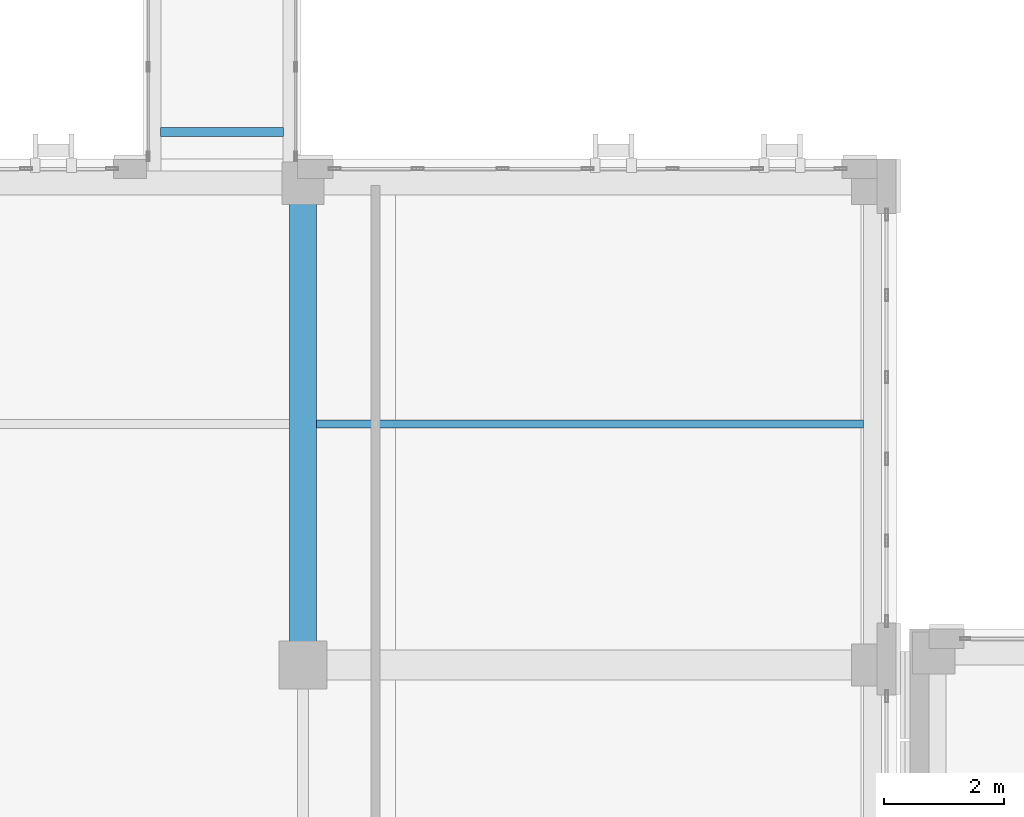
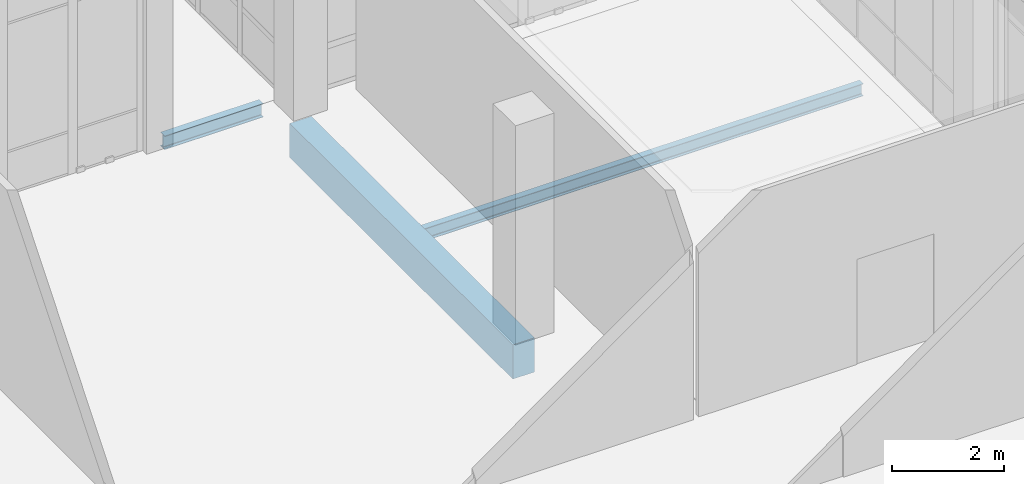
# One storey, part 41 of 189: 3 beams.
"""IFC4 building model written with IfcOpenShell, lengths in metres."""

import ifcopenshell
import ifcopenshell.guid

model = None  # the IFC model being written
_history = None  # IfcOwnerHistory: only IFC2X3 demands one
_inside = {}  # id of a spatial element -> (the spatial element, [elements in it])
_under = {}  # id of a project, library or spatial element -> (it, [spatial elements below it])
_declared = {}  # id of a project -> (the project, [libraries it declares])
_typed = {}  # id of a type object -> (the type object, [elements of that type])
_made_of = {}  # id of a material, layer set ... -> (it, [elements and type objects made of it])


def new_model(schema):
    """Start an empty IFC model of exactly this schema.

    Asked for "IFC4X3", IfcOpenShell would pick the latest addendum, in which some entities
    have other attributes; the version numbers below select the first issue.
    IFC2X3 requires an IfcOwnerHistory on every rooted entity: one is made here for all.
    """
    global model, _history
    if schema == "IFC4X3":
        model = ifcopenshell.file(schema_version=(4, 3, 0, 0))
    else:
        model = ifcopenshell.file(schema=schema)
    _inside.clear()
    _under.clear()
    _declared.clear()
    _typed.clear()
    _made_of.clear()
    _history = None
    if model.schema == "IFC2X3":
        org = make("IfcOrganization", Name="unknown")
        user = make(
            "IfcPersonAndOrganization",
            ThePerson=make("IfcPerson", FamilyName="unknown"),
            TheOrganization=org,
        )
        app = make(
            "IfcApplication",
            ApplicationDeveloper=org,
            Version="unknown",
            ApplicationFullName="unknown",
            ApplicationIdentifier="unknown",
        )
        _history = make(
            "IfcOwnerHistory",
            OwningUser=user,
            OwningApplication=app,
            ChangeAction="ADDED",
            CreationDate=0,
        )
    return model


def make(cls, **values):
    """One entity of the class cls with the attributes given. An attribute that is None is left unset."""
    return model.create_entity(
        cls, **{name: value for name, value in values.items() if value is not None}
    )


def rooted(cls, **values):
    """An entity with a GlobalId (a new one), such as an element, a storey or a relation."""
    return make(cls, GlobalId=ifcopenshell.guid.new(), OwnerHistory=_history, **values)


def si_unit(unit_type, name, prefix=None):
    """IfcSIUnit, for example si_unit("LENGTHUNIT", "METRE", prefix="MILLI")."""
    return make("IfcSIUnit", UnitType=unit_type, Prefix=prefix, Name=name)


def assignment(units):
    """IfcUnitAssignment: the units of a project."""
    return None if units is None else make("IfcUnitAssignment", Units=units)


def point(xyz):
    """IfcCartesianPoint."""
    return None if xyz is None else make("IfcCartesianPoint", Coordinates=xyz)


def direction(xyz):
    """IfcDirection."""
    return None if xyz is None else make("IfcDirection", DirectionRatios=xyz)


def frame(location, z_axis=None, x_axis=None):
    """IfcAxis2Placement3D, a coordinate frame: its origin and axes. An axis left out is left unset."""
    return make(
        "IfcAxis2Placement3D",
        Location=point(location),
        Axis=direction(z_axis),
        RefDirection=direction(x_axis),
    )


def frame_2d(location, x_axis=None):
    """IfcAxis2Placement2D, a coordinate frame in the plane: its origin and x axis."""
    return make(
        "IfcAxis2Placement2D", Location=point(location), RefDirection=direction(x_axis)
    )


def origin():
    """The frame at (0, 0, 0) with its axes left unset."""
    return frame((0.0, 0.0, 0.0))


def origin_2d():
    """The frame at (0, 0) in the plane with its x axis left unset."""
    return frame_2d((0.0, 0.0))


def place(relative_to, where):
    """IfcLocalPlacement: puts the frame where relative to a parent placement (None: the world)."""
    return make(
        "IfcLocalPlacement", PlacementRelTo=relative_to, RelativePlacement=where
    )


def context(
    kind, dimensions, precision=None, world=None, true_north=None, identifier=None
):
    """IfcGeometricRepresentationContext, for example the 3D "Model" context."""
    return make(
        "IfcGeometricRepresentationContext",
        ContextIdentifier=identifier,
        ContextType=kind,
        CoordinateSpaceDimension=dimensions,
        Precision=precision,
        WorldCoordinateSystem=world,
        TrueNorth=true_north,
    )


def subcontext(parent, identifier, kind, view, scale=None):
    """IfcGeometricRepresentationSubContext, for example "Body" below "Model"."""
    return make(
        "IfcGeometricRepresentationSubContext",
        ContextIdentifier=identifier,
        ContextType=kind,
        ParentContext=parent,
        TargetScale=scale,
        TargetView=view,
    )


def project(units=None, contexts=None):
    """IfcProject with its units and contexts."""
    return rooted(
        "IfcProject",
        Name="project",
        RepresentationContexts=contexts,
        UnitsInContext=assignment(units),
    )


def spatial(cls, under=None, at=None, **own):
    """A site, building, storey or space (cls), placed at a placement, below another one or the project."""
    s = rooted(cls, ObjectPlacement=at, **own)
    if under is not None:
        _under.setdefault(under.id(), (under, []))[1].append(s)
    return s


def profile(cls, at=None, kind="AREA", **sizes):
    """A parametric profile (cls). Its sizes go by their IFC names, for example OverallWidth=200.0."""
    return make(cls, ProfileType=kind, Position=at, **sizes)


def rectangle(**sizes):
    """IfcRectangleProfileDef."""
    return profile("IfcRectangleProfileDef", **sizes)


def i_section(**sizes):
    """IfcIShapeProfileDef."""
    return profile("IfcIShapeProfileDef", **sizes)


def extrude(swept, where, along, depth):
    """IfcExtrudedAreaSolid: the profile swept, set in the frame where, extruded along a direction by depth."""
    return make(
        "IfcExtrudedAreaSolid",
        SweptArea=swept,
        Position=where,
        ExtrudedDirection=direction(along),
        Depth=depth,
    )


def shape(context_of_items, identifier, shape_type, items):
    """IfcShapeRepresentation: the items that make up one representation, for example the "Body"."""
    return make(
        "IfcShapeRepresentation",
        ContextOfItems=context_of_items,
        RepresentationIdentifier=identifier,
        RepresentationType=shape_type,
        Items=items,
    )


def material(Name=None, Category=None):
    """IfcMaterial."""
    return make("IfcMaterial", Name=Name, Category=Category)


def material_profile(
    of_material, cross_section, Name=None, Category=None, Priority=None
):
    """IfcMaterialProfile: a cross section and its material."""
    return make(
        "IfcMaterialProfile",
        Name=Name,
        Material=of_material,
        Profile=cross_section,
        Priority=Priority,
        Category=Category,
    )


def profile_set(profiles, Name=None, composite=None):
    """IfcMaterialProfileSet."""
    return make(
        "IfcMaterialProfileSet",
        Name=Name,
        MaterialProfiles=profiles,
        CompositeProfile=composite,
    )


def made_of(thing, what):
    """Note that an element or type object is made of a material, layer set ...; save() writes the relation."""
    if what is not None:
        _made_of.setdefault(what.id(), (what, []))[1].append(thing)
    return thing


def type_object(cls, material=None, **own):
    """A type object (cls), such as IfcWallType, which elements share."""
    return made_of(rooted(cls, **own), material)


def element(
    cls,
    number,
    at=None,
    inside=None,
    cuts=None,
    type_object=None,
    material=None,
    context=None,
    identifier="Body",
    shape_type=None,
    held_by="IfcProductDefinitionShape",
    body=None,
    shapes=None,
    **own,
):
    """One element of the class cls, such as IfcWall. Its Tag is "e" and its number.

    at: its placement. inside: the storey or other place that contains it. cuts: it is an
    opening in that element (IfcRelVoidsElement). A single representation is given by context,
    identifier, shape_type and body (its items); several are given by shapes. held_by: the class
    of the entity that holds the representations. save() writes the other relations.
    """
    e = rooted(cls, Tag="e%d" % number, ObjectPlacement=at, **own)
    if body is not None:
        shapes = [shape(context, identifier, shape_type, body)]
    if shapes is not None:
        e.Representation = make(held_by, Representations=shapes)
    if inside is not None:
        _inside.setdefault(inside.id(), (inside, []))[1].append(e)
    if cuts is not None:
        rooted(
            "IfcRelVoidsElement", RelatingBuildingElement=cuts, RelatedOpeningElement=e
        )
    if type_object is not None:
        _typed.setdefault(type_object.id(), (type_object, []))[1].append(e)
    return made_of(e, material)


def aggregate(whole, parts):
    """IfcRelAggregates: a whole, such as a stair, and the parts it consists of."""
    return rooted("IfcRelAggregates", RelatingObject=whole, RelatedObjects=parts)


def save(model, path):
    """Write the relations noted so far, then the file.

    IfcRelAggregates (storeys below a building ...), IfcRelContainedInSpatialStructure (elements
    in a storey), IfcRelDefinesByType, IfcRelAssociatesMaterial and IfcRelDeclares: one each for
    every whole, place, type object, material and project.
    """
    for whole, parts in _under.values():
        aggregate(whole, parts)
    for where, things in _inside.values():
        rooted(
            "IfcRelContainedInSpatialStructure",
            RelatedElements=things,
            RelatingStructure=where,
        )
    for kind, things in _typed.values():
        rooted("IfcRelDefinesByType", RelatedObjects=things, RelatingType=kind)
    for what, things in _made_of.values():
        rooted("IfcRelAssociatesMaterial", RelatedObjects=things, RelatingMaterial=what)
    for by, libraries in _declared.values():
        rooted("IfcRelDeclares", RelatingContext=by, RelatedDefinitions=libraries)
    model.write(path)


model = new_model("IFC4")

# Units and contexts
model_context = context("Model", 3, precision=1e-05, world=origin(), true_north=direction((0.0, 1.0)))
body_context = subcontext(model_context, "Body", "Model", "MODEL_VIEW")
ifc_project = project(units=[si_unit("LENGTHUNIT", "METRE"), si_unit("AREAUNIT", "SQUARE_METRE"), si_unit("VOLUMEUNIT", "CUBIC_METRE"), si_unit("PLANEANGLEUNIT", "RADIAN"), si_unit("MASSUNIT", "GRAM", prefix="KILO")], contexts=[model_context])

# Site, building, storey
site_placement = place(None, origin())
site = spatial("IfcSite", under=ifc_project, at=site_placement, CompositionType="ELEMENT")
building_placement = place(site_placement, origin())
building = spatial("IfcBuilding", under=site, at=building_placement, Name="Qalavern Law Courts", CompositionType="ELEMENT")
storey_placement = place(building_placement, frame((0.0, 0.0, 5.39990234375)))
storey = spatial("IfcBuildingStorey", under=building, at=storey_placement, Name="L01", CompositionType="ELEMENT", Elevation=5.39990234375)

# Beams
ifc_material_1 = material(Name="Concrete C40/50", Category="concrete")
ifc_material_profile_1 = material_profile(ifc_material_1, rectangle(XDim=0.449951171875, YDim=0.75, at=origin_2d()), Name="RC 450x750")
ifc_profile_set_1 = profile_set([ifc_material_profile_1], Name="Concrete C40/50")
beam_type_1 = type_object("IfcBeamType", Name="STR-BM-RC450x750", PredefinedType="BEAM", material=ifc_profile_set_1)
beam_1_placement = place(storey_placement, frame((91.345703125, 22.0, -0.6748046875), z_axis=(0.0, 1.0, 0.0), x_axis=(-1.0, 0.0, 0.0)))
element("IfcBeam", 1, at=beam_1_placement, inside=storey, type_object=beam_type_1, Name="V2 Y-beam 7-3 L01", PredefinedType="BEAM", context=body_context, shape_type="SweptSolid", body=[
    extrude(rectangle(XDim=0.449951171875, YDim=0.75, at=origin_2d()), origin(), (0.0, 0.0, 1.0), 8.0),
])
ifc_material_2 = material(Name="Steel S355", Category="steel")
ifc_material_profile_2 = material_profile(ifc_material_2, i_section(OverallWidth=0.135009765625, OverallDepth=0.27001953125, WebThickness=0.006591796875, FlangeThickness=0.01025390625, FilletRadius=0.014892578125, at=origin_2d()), Name="IPE 270")
ifc_profile_set_2 = profile_set([ifc_material_profile_2], Name="Steel S355")
beam_type_2 = type_object("IfcBeamType", Name="STR-JST-IPE270", PredefinedType="JOIST", material=ifc_profile_set_2)
beam_2_placement = place(storey_placement, frame((91.568603515625, 26.0, -0.434814453125), z_axis=(1.0, 0.0, 0.0), x_axis=(0.0, 1.0, 0.0)))
element("IfcBeam", 2, at=beam_2_placement, inside=storey, type_object=beam_type_2, Name="V2 secondary joist 7.3.1 L01", PredefinedType="JOIST", context=body_context, shape_type="SweptSolid", body=[
    extrude(i_section(OverallWidth=0.135009765625, OverallDepth=0.27001953125, WebThickness=0.006591796875, FlangeThickness=0.01025390625, FilletRadius=0.014892578125, at=origin_2d()), origin(), (0.0, 0.0, 1.0), 9.08349609375),
])
ifc_material_profile_3 = material_profile(ifc_material_2, i_section(OverallWidth=0.14990234375, OverallDepth=0.300048828125, WebThickness=0.007080078125, FlangeThickness=0.0107421875, FilletRadius=0.014892578125, at=origin_2d()), Name="IPE 300")
ifc_profile_set_3 = profile_set([ifc_material_profile_3], Name="Steel S355")
beam_type_3 = type_object("IfcBeamType", Name="STR-JST-IPE300", PredefinedType="JOIST", material=ifc_profile_set_3)
beam_3_placement = place(storey_placement, frame((88.97998046875, 30.85009765625, -0.449951171875), z_axis=(1.0, 0.0, 0.0), x_axis=(0.0, 1.0, 0.0)))
element("IfcBeam", 3, at=beam_3_placement, inside=storey, type_object=beam_type_3, Name="Bridge BR-V2-V4 cross beam 1 L01", PredefinedType="JOIST", context=body_context, shape_type="SweptSolid", body=[
    extrude(i_section(OverallWidth=0.14990234375, OverallDepth=0.300048828125, WebThickness=0.007080078125, FlangeThickness=0.0107421875, FilletRadius=0.014892578125, at=origin_2d()), origin(), (0.0, 0.0, 1.0), 2.0400390625),
])

save(model, "model.ifc")
